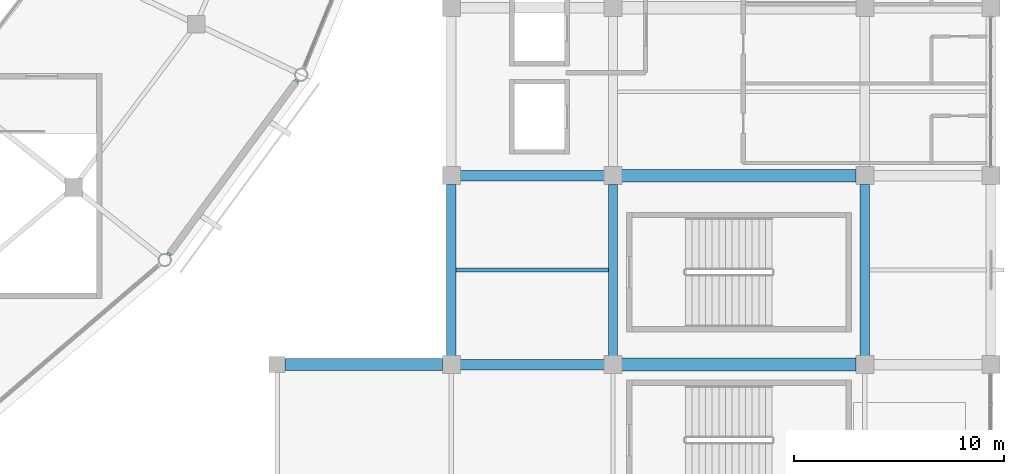
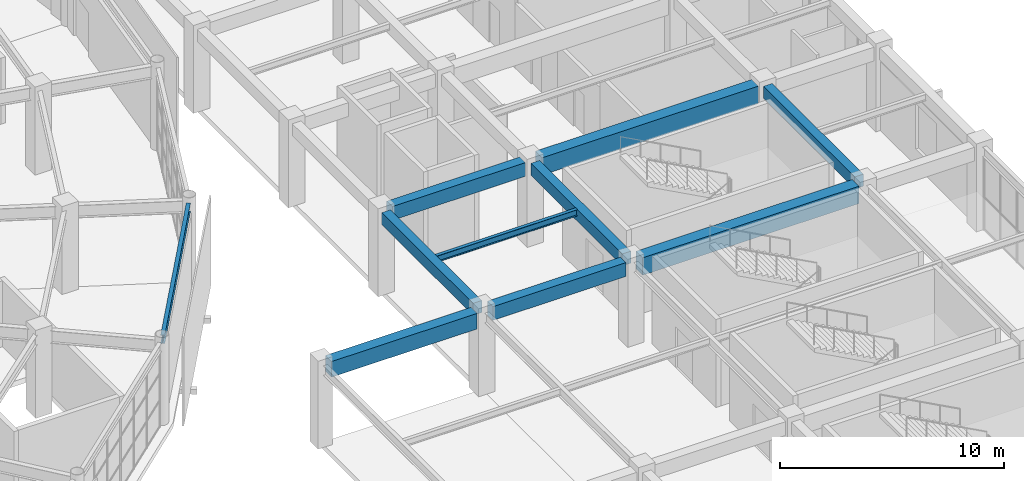
# One storey, part 53 of 112: 10 beams.
"""IFC4 building model written with IfcOpenShell, lengths in metres."""

from ifc_helpers import new_model, si_unit, direction, frame, origin, origin_2d, place, context, subcontext, project, spatial, rectangle, i_section, extrude, material, material_profile, profile_set, type_object, element, save


model = new_model("IFC4")

# Units and contexts
model_context = context("Model", 3, precision=1e-05, world=origin(), true_north=direction((0.0, 1.0)))
body_context = subcontext(model_context, "Body", "Model", "MODEL_VIEW")
ifc_project = project(units=[si_unit("LENGTHUNIT", "METRE"), si_unit("AREAUNIT", "SQUARE_METRE"), si_unit("VOLUMEUNIT", "CUBIC_METRE"), si_unit("PLANEANGLEUNIT", "RADIAN"), si_unit("MASSUNIT", "GRAM", prefix="KILO")], contexts=[model_context])

# Site, building, storey
site_placement = place(None, origin())
site = spatial("IfcSite", under=ifc_project, at=site_placement, CompositionType="ELEMENT")
building_placement = place(site_placement, origin())
building = spatial("IfcBuilding", under=site, at=building_placement, Name="Cuetzalor Civic Arena", CompositionType="ELEMENT")
storey_placement = place(building_placement, frame((0.0, 0.0, 11.39990234375)))
storey = spatial("IfcBuildingStorey", under=building, at=storey_placement, Name="L02", CompositionType="ELEMENT", Elevation=11.39990234375)

# Beams
ifc_material_1 = material(Name="Concrete C40/50", Category="concrete")
ifc_material_profile_1 = material_profile(ifc_material_1, rectangle(XDim=0.5, YDim=0.75, at=origin_2d()), Name="RC 500x750")
ifc_profile_set_1 = profile_set([ifc_material_profile_1], Name="Concrete C40/50")
beam_type_1 = type_object("IfcBeamType", Name="ConcreteFrameBeam_500x750", PredefinedType="BEAM", material=ifc_profile_set_1)
for number, where, z_axis, x_axis, name in (
    (1, (56.715087890625, -34.0, 4.14501953125), (1.0, 0.0, 0.0), (0.0, 1.0, 0.0), "Frame Girder V4E-L02-X0709"),
    (2, (56.715087890625, -25.0, 4.14501953125), (1.0, 0.0, 0.0), (0.0, 1.0, 0.0), "Frame Girder V4E-L02-X0712"),
):
    element("IfcBeam", number, at=place(storey_placement, frame(where, z_axis=z_axis, x_axis=x_axis)), inside=storey, type_object=beam_type_1, Name=name, PredefinedType="BEAM", context=body_context, shape_type="SweptSolid", body=[
        extrude(rectangle(XDim=0.5, YDim=0.75, at=origin_2d()), origin(), (0.0, 0.0, 1.0), 6.869873046875),
    ])
ifc_material_2 = material(Name="Concrete C40/50", Category="concrete")
ifc_material_profile_2 = material_profile(ifc_material_2, rectangle(XDim=0.550048828125, YDim=0.85009765625, at=origin_2d()), Name="RC 550x850")
ifc_profile_set_2 = profile_set([ifc_material_profile_2], Name="Concrete C40/50")
beam_type_2 = type_object("IfcBeamType", Name="ConcreteFrameBeam_550x850", PredefinedType="BEAM", material=ifc_profile_set_2)
beam_1_placement = place(storey_placement, frame((48.364990234375, -34.0, 4.03515625), z_axis=(1.0, 0.0, 0.0), x_axis=(0.0, 1.0, 0.0)))
element("IfcBeam", 3, at=beam_1_placement, inside=storey, type_object=beam_type_2, Name="Frame Girder V4E-L02-X0708", PredefinedType="BEAM", context=body_context, shape_type="SweptSolid", body=[
    extrude(rectangle(XDim=0.550048828125, YDim=0.85009765625, at=origin_2d()), origin(), (0.0, 0.0, 1.0), 7.52001953125),
])
ifc_material_3 = material(Name="Concrete C40/50", Category="concrete")
ifc_material_profile_3 = material_profile(ifc_material_3, rectangle(XDim=0.60009765625, YDim=0.949951171875, at=origin_2d()), Name="RC 600x950")
ifc_profile_set_3 = profile_set([ifc_material_profile_3], Name="Concrete C40/50")
beam_type_3 = type_object("IfcBeamType", Name="ConcreteFrameBeam_600x950", PredefinedType="BEAM", material=ifc_profile_set_3)
for number, where, z_axis, x_axis, name in (
    (4, (64.4150390625, -34.0, 4.045166015625), (1.0, 0.0, 0.0), (0.0, 1.0, 0.0), "Frame Girder V4E-L02-X0710"),
    (5, (64.4150390625, -25.0, 4.045166015625), (1.0, 0.0, 0.0), (0.0, 1.0, 0.0), "Frame Girder V4E-L02-X0713"),
):
    element("IfcBeam", number, at=place(storey_placement, frame(where, z_axis=z_axis, x_axis=x_axis)), inside=storey, type_object=beam_type_3, Name=name, PredefinedType="BEAM", context=body_context, shape_type="SweptSolid", body=[
        extrude(rectangle(XDim=0.60009765625, YDim=0.949951171875, at=origin_2d()), origin(), (0.0, 0.0, 1.0), 11.169921875),
    ])
ifc_material_4 = material(Name="Concrete C40/50", Category="concrete")
ifc_material_profile_4 = material_profile(ifc_material_4, rectangle(XDim=0.449951171875, YDim=0.64990234375, at=origin_2d()), Name="RC 450x650")
ifc_profile_set_4 = profile_set([ifc_material_profile_4], Name="Concrete C40/50")
beam_type_4 = type_object("IfcBeamType", Name="ConcreteTieBeam_450x650", PredefinedType="BEAM", material=ifc_profile_set_4)
for number, where, z_axis, x_axis, name in (
    (6, (56.300048828125, -33.5849609375, 4.195068359375), (0.0, 1.0, 0.0), (-1.0, 0.0, 0.0), "Frame Girder V4E-L02-Y0740"),
    (7, (64.0, -33.5849609375, 4.195068359375), (0.0, 1.0, 0.0), (-1.0, 0.0, 0.0), "Frame Girder V4E-L02-Y0750"),
    (8, (76.0, -33.5849609375, 4.195068359375), (0.0, 1.0, 0.0), (-1.0, 0.0, 0.0), "Frame Girder V4E-L02-Y0760"),
):
    element("IfcBeam", number, at=place(storey_placement, frame(where, z_axis=z_axis, x_axis=x_axis)), inside=storey, type_object=beam_type_4, Name=name, PredefinedType="BEAM", context=body_context, shape_type="SweptSolid", body=[
        extrude(rectangle(XDim=0.449951171875, YDim=0.64990234375, at=origin_2d()), origin(), (0.0, 0.0, 1.0), 8.169921875),
    ])
ifc_material_5 = material(Name="Steel S355", Category="steel")
ifc_material_profile_5 = material_profile(ifc_material_5, i_section(OverallWidth=0.18994140625, OverallDepth=0.45703125, WebThickness=0.009033203125, FlangeThickness=0.014404296875, at=origin_2d()), Name="W460x74")
ifc_profile_set_5 = profile_set([ifc_material_profile_5], Name="Steel S355")
beam_type_5 = type_object("IfcBeamType", Name="FacadeSpandrelBeam_W460", PredefinedType="SPANDREL", material=ifc_profile_set_5)
beam_2_placement = place(storey_placement, frame((42.82080078125, -28.7900390625, 4.29150390625), z_axis=(0.592928645702, 0.805255003776, 0.0), x_axis=(-0.805255003776, 0.592928645702, 0.0)))
element("IfcBeam", 9, at=beam_2_placement, inside=storey, type_object=beam_type_5, Name="Drum Perimeter Spandrel L02-S26", PredefinedType="SPANDREL", context=body_context, shape_type="SweptSolid", body=[
    extrude(i_section(OverallWidth=0.18994140625, OverallDepth=0.45703125, WebThickness=0.009033203125, FlangeThickness=0.014404296875, at=origin_2d()), origin(), (0.0, 0.0, 1.0), 10.380615234375),
])
ifc_material_6 = material(Name="Steel S355", Category="steel")
ifc_material_profile_6 = material_profile(ifc_material_6, i_section(OverallWidth=0.1708984375, OverallDepth=0.35498046875, WebThickness=0.007080078125, FlangeThickness=0.01171875, at=origin_2d()), Name="W360x51")
ifc_profile_set_6 = profile_set([ifc_material_profile_6], Name="Steel S355")
beam_type_6 = type_object("IfcBeamType", Name="SecondaryFloorJoist_W360", PredefinedType="JOIST", material=ifc_profile_set_6)
beam_3_placement = place(storey_placement, frame((56.51708984375, -29.5, 4.342529296875), z_axis=(1.0, 0.0, 0.0), x_axis=(0.0, 1.0, 0.0)))
element("IfcBeam", 10, at=beam_3_placement, inside=storey, type_object=beam_type_6, Name="Secondary Floor Joist V4E-L02-0221", PredefinedType="JOIST", context=body_context, shape_type="SweptSolid", body=[
    extrude(i_section(OverallWidth=0.1708984375, OverallDepth=0.35498046875, WebThickness=0.007080078125, FlangeThickness=0.01171875, at=origin_2d()), origin(), (0.0, 0.0, 1.0), 7.265869140625),
])

save(model, "model.ifc")
